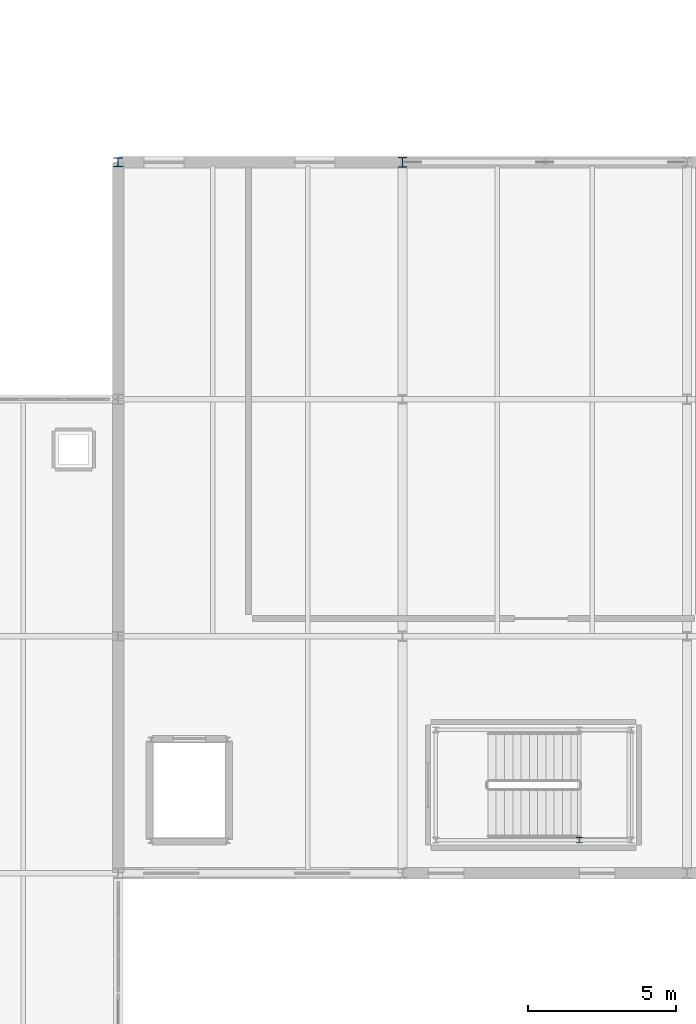
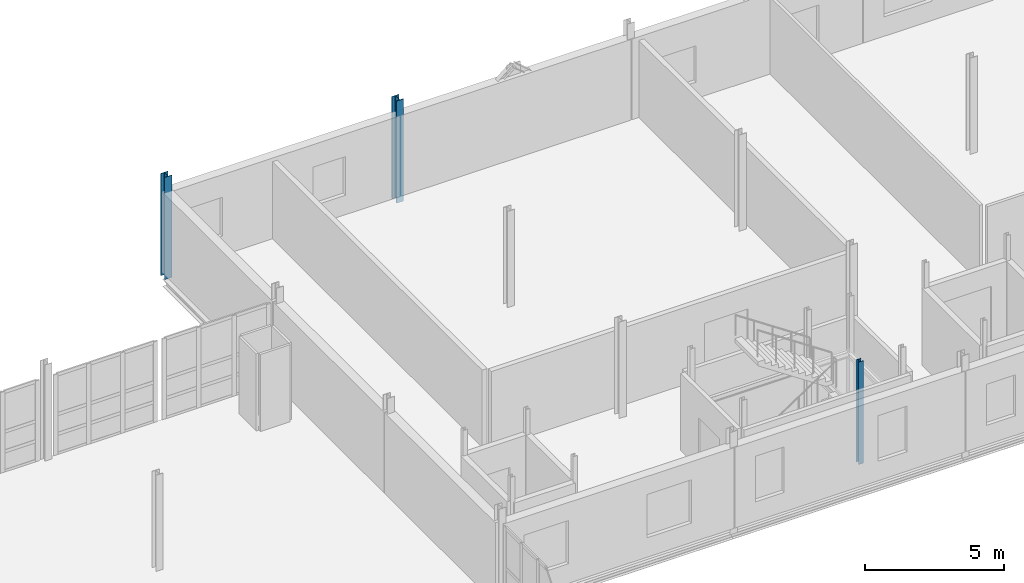
# One storey, part 15 of 73: 3 columns.
"""IFC4 building model written with IfcOpenShell, lengths in metres."""

from ifc_helpers import new_model, si_unit, direction, frame, origin, origin_2d, place, context, subcontext, project, spatial, i_section, extrude, material, material_profile, profile_set, type_object, element, save


model = new_model("IFC4")

# Units and contexts
model_context = context("Model", 3, precision=1e-05, world=origin(), true_north=direction((0.0, 1.0)))
body_context = subcontext(model_context, "Body", "Model", "MODEL_VIEW")
ifc_project = project(units=[si_unit("LENGTHUNIT", "METRE"), si_unit("AREAUNIT", "SQUARE_METRE"), si_unit("VOLUMEUNIT", "CUBIC_METRE"), si_unit("PLANEANGLEUNIT", "RADIAN"), si_unit("MASSUNIT", "GRAM", prefix="KILO")], contexts=[model_context])

# Site, building, storey
site_placement = place(None, origin())
site = spatial("IfcSite", under=ifc_project, at=site_placement, CompositionType="ELEMENT")
building_placement = place(site_placement, origin())
building = spatial("IfcBuilding", under=site, at=building_placement, Name="Alderhovde Museum", CompositionType="ELEMENT")
storey_placement = place(building_placement, frame((0.0, 0.0, 12.89990234375)))
storey = spatial("IfcBuildingStorey", under=building, at=storey_placement, Name="L03", CompositionType="ELEMENT", Elevation=12.89990234375)

# Columns
ifc_material_1 = material(Name="Steel S355J2", Category="steel")
ifc_material_profile_1 = material_profile(ifc_material_1, i_section(OverallWidth=0.199951171875, OverallDepth=0.18994140625, WebThickness=0.006591796875, FlangeThickness=0.010009765625, FilletRadius=0.01806640625, at=origin_2d()), Name="HEA 200")
ifc_profile_set_1 = profile_set([ifc_material_profile_1], Name="Steel S355J2")
column_type_1 = type_object("IfcColumnType", Name="COL-HEA200", PredefinedType="COLUMN", material=ifc_profile_set_1)
column_1_placement = place(storey_placement, frame((130.760009765625, 73.1201171875, 0.0), z_axis=(0.0, 0.0, 1.0), x_axis=(1.0, 0.0, 0.0)))
element("IfcColumn", 1, at=column_1_placement, inside=storey, type_object=column_type_1, Name="L03 Stair ST4 Shaft Column 5", PredefinedType="COLUMN", context=body_context, shape_type="SweptSolid", body=[
    extrude(i_section(OverallWidth=0.199951171875, OverallDepth=0.18994140625, WebThickness=0.006591796875, FlangeThickness=0.010009765625, FilletRadius=0.01806640625, at=origin_2d()), origin(), (0.0, 0.0, 1.0), 4.5),
])
ifc_material_2 = material(Name="Steel S355J2", Category="steel")
ifc_material_profile_2 = material_profile(ifc_material_2, i_section(OverallWidth=0.300048828125, OverallDepth=0.300048828125, WebThickness=0.010986328125, FlangeThickness=0.01904296875, FilletRadius=0.027099609375, at=origin_2d()), Name="HEB 300")
ifc_profile_set_2 = profile_set([ifc_material_profile_2], Name="Steel S355J2")
column_type_2 = type_object("IfcColumnType", Name="COL-HEB300", PredefinedType="COLUMN", material=ifc_profile_set_2)
column_2_placement = place(storey_placement, frame((115.199951171875, 96.0, -0.260009765625), z_axis=(0.0, 0.0, 1.0), x_axis=(1.0, 0.0, 0.0)))
element("IfcColumn", 2, at=column_2_placement, inside=storey, type_object=column_type_2, Name="L03 Column (115.2, 96.0)", PredefinedType="COLUMN", context=body_context, shape_type="SweptSolid", body=[
    extrude(i_section(OverallWidth=0.300048828125, OverallDepth=0.300048828125, WebThickness=0.010986328125, FlangeThickness=0.01904296875, FilletRadius=0.027099609375, at=origin_2d()), origin(), (0.0, 0.0, 1.0), 4.480224609375),
])
ifc_material_3 = material(Name="Steel S355J2", Category="steel")
ifc_material_profile_3 = material_profile(ifc_material_3, i_section(OverallWidth=0.300048828125, OverallDepth=0.340087890625, WebThickness=0.011962890625, FlangeThickness=0.021484375, FilletRadius=0.027099609375, at=origin_2d()), Name="HEB 340")
ifc_profile_set_3 = profile_set([ifc_material_profile_3], Name="Steel S355J2")
column_type_3 = type_object("IfcColumnType", Name="COL-HEB340", PredefinedType="COLUMN", material=ifc_profile_set_3)
column_3_placement = place(storey_placement, frame((124.800048828125, 96.0, -0.260009765625), z_axis=(0.0, 0.0, 1.0), x_axis=(1.0, 0.0, 0.0)))
element("IfcColumn", 3, at=column_3_placement, inside=storey, type_object=column_type_3, Name="L03 Column (124.8, 96.0)", PredefinedType="COLUMN", context=body_context, shape_type="SweptSolid", body=[
    extrude(i_section(OverallWidth=0.300048828125, OverallDepth=0.340087890625, WebThickness=0.011962890625, FlangeThickness=0.021484375, FilletRadius=0.027099609375, at=origin_2d()), origin(), (0.0, 0.0, 1.0), 4.480224609375),
])

save(model, "model.ifc")
